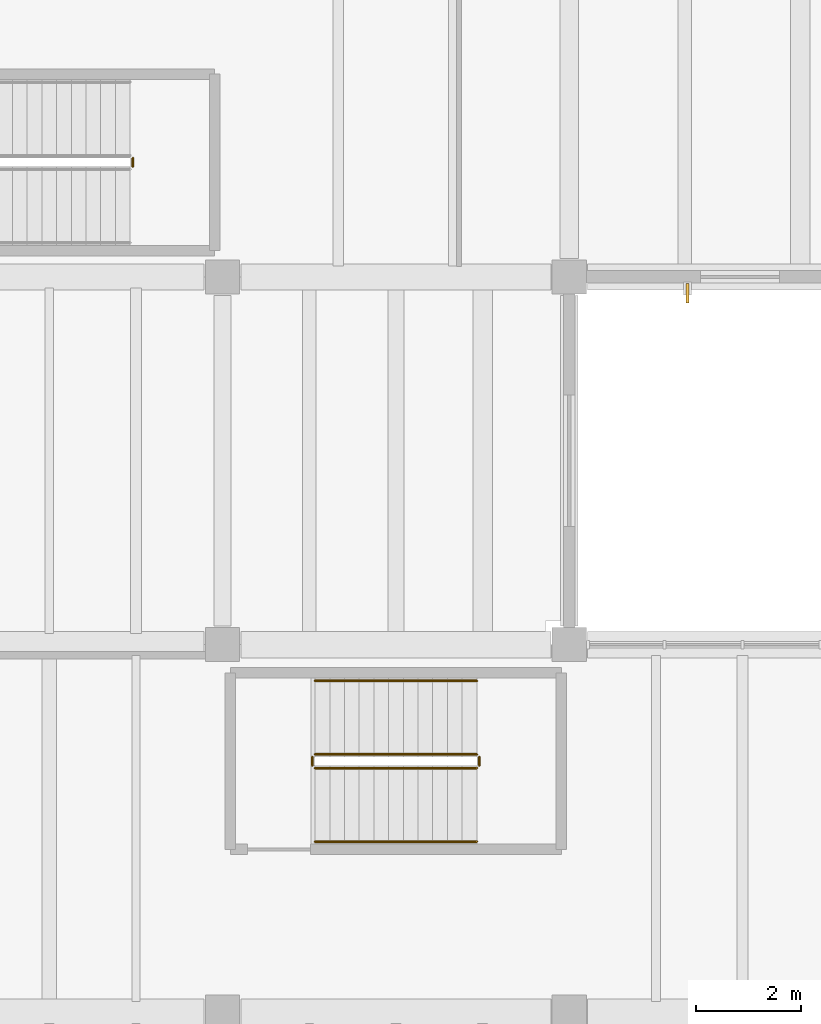
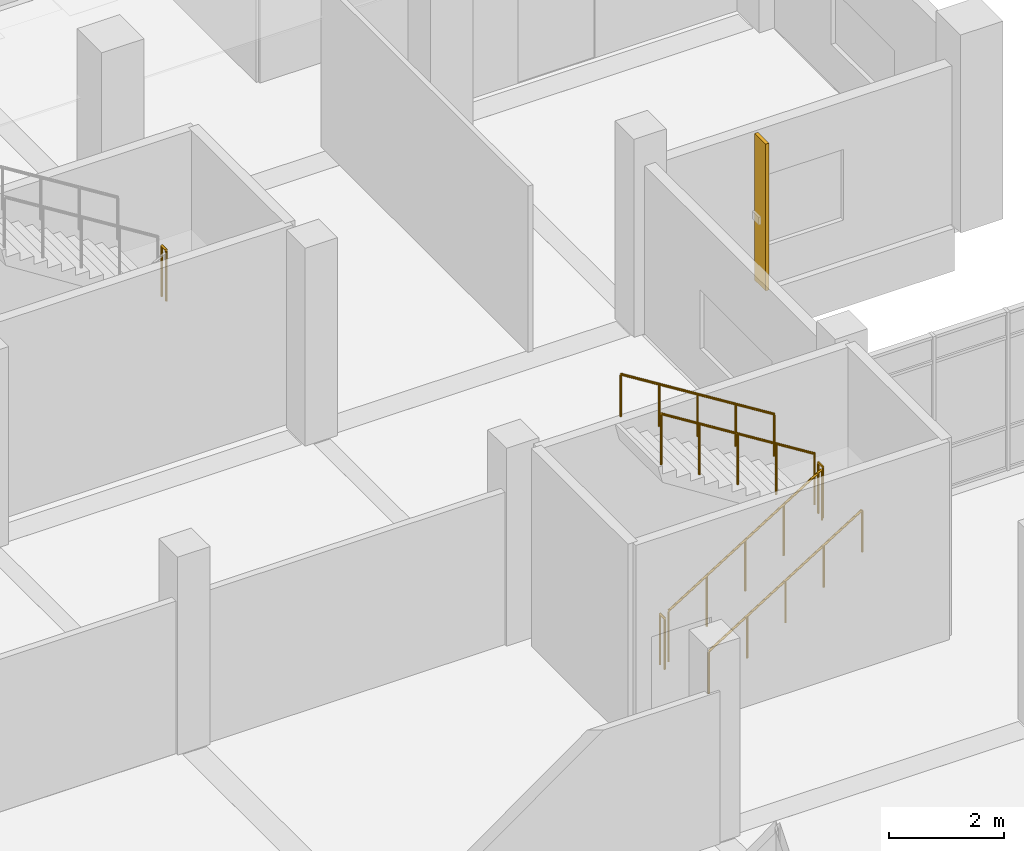
# One storey, part 66 of 69: 7 railings, 1 shading device.
"""IFC4 building model written with IfcOpenShell, lengths in metres."""

from ifc_helpers import new_model, si_unit, direction, frame, origin, origin_2d, place, context, subcontext, project, spatial, rectangle, circle, extrude, material, material_profile, profile_set, type_object, element, save


model = new_model("IFC4")

# Units and contexts
model_context = context("Model", 3, precision=1e-05, world=origin(), true_north=direction((0.0, 1.0)))
body_context = subcontext(model_context, "Body", "Model", "MODEL_VIEW")
ifc_project = project(units=[si_unit("LENGTHUNIT", "METRE"), si_unit("AREAUNIT", "SQUARE_METRE"), si_unit("VOLUMEUNIT", "CUBIC_METRE"), si_unit("PLANEANGLEUNIT", "RADIAN"), si_unit("MASSUNIT", "GRAM", prefix="KILO")], contexts=[model_context])

# Site, building, storey
site_placement = place(None, origin())
site = spatial("IfcSite", under=ifc_project, at=site_placement, CompositionType="ELEMENT")
building_placement = place(site_placement, origin())
building = spatial("IfcBuilding", under=site, at=building_placement, Name="Ciguamira Faculty of Natural Sciences", CompositionType="ELEMENT")
storey_placement = place(building_placement, origin())
storey = spatial("IfcBuildingStorey", under=building, at=storey_placement, Name="L00", CompositionType="ELEMENT", Elevation=0.0)

# Railings
ifc_material_1 = material(Name="Stainless steel balustrade", Category="steel")
railing_type_1 = type_object("IfcRailingType", Name="Guardrail_GR01", PredefinedType="GUARDRAIL", material=ifc_material_1)
railing_1_placement = place(storey_placement, frame((101.7900390625, 96.10009765625, 2.10009765625)))
element("IfcRailing", 1, at=railing_1_placement, inside=storey, type_object=railing_type_1, Name="L00 ST-T2 stair guard 2", PredefinedType="GUARDRAIL", context=body_context, shape_type="SweptSolid", body=[
    extrude(circle(Radius=0.02392578125, at=origin_2d()), frame((0.0, 0.0, 1.076171875), z_axis=(0.0, 1.0, 0.0), x_axis=(-1.0, 0.0, 0.0)), (0.0, 0.0, 1.0), 0.159912109375),
    extrude(circle(Radius=0.02099609375, at=origin_2d()), origin(), (0.0, 0.0, 1.0), 1.052001953125),
    extrude(circle(Radius=0.02099609375, at=origin_2d()), frame((0.0, 0.159912109375, 0.0)), (0.0, 0.0, 1.0), 1.052001953125),
])
railing_2_placement = place(storey_placement, frame((105.260009765625, 84.64990234375, 0.175048828125)))
element("IfcRailing", 2, at=railing_2_placement, inside=storey, type_object=railing_type_1, Name="L00 ST-W2 stair guard 1", PredefinedType="GUARDRAIL", context=body_context, shape_type="SweptSolid", body=[
    extrude(circle(Radius=0.02392578125, at=origin_2d()), frame((0.0, 0.0, 1.076171875), z_axis=(0.847998304005, 0.0, 0.529998940003), x_axis=(0.0, 1.0, 0.0)), (0.0, 0.0, 1.0), 3.632080078125),
    extrude(circle(Radius=0.02099609375, at=origin_2d()), origin(), (0.0, 0.0, 1.0), 1.052001953125),
    extrude(circle(Radius=0.02099609375, at=origin_2d()), frame((0.77001953125, 0.0, 0.481201171875)), (0.0, 0.0, 1.0), 1.052001953125),
    extrude(circle(Radius=0.02099609375, at=origin_2d()), frame((1.5400390625, 0.0, 0.96240234375)), (0.0, 0.0, 1.0), 1.052001953125),
    extrude(circle(Radius=0.02099609375, at=origin_2d()), frame((2.31005859375, 0.0, 1.44384765625)), (0.0, 0.0, 1.0), 1.052001953125),
    extrude(circle(Radius=0.02099609375, at=origin_2d()), frame((3.080078125, 0.0, 1.925048828125)), (0.0, 0.0, 1.0), 1.052001953125),
])
railing_3_placement = place(storey_placement, frame((108.389892578125, 84.699951171875, 2.10009765625)))
element("IfcRailing", 3, at=railing_3_placement, inside=storey, type_object=railing_type_1, Name="L00 ST-W2 stair guard 2", PredefinedType="GUARDRAIL", context=body_context, shape_type="SweptSolid", body=[
    extrude(circle(Radius=0.02392578125, at=origin_2d()), frame((0.0, 0.0, 1.076171875), z_axis=(0.0, 1.0, 0.0), x_axis=(-1.0, 0.0, 0.0)), (0.0, 0.0, 1.0), 0.16015625),
    extrude(circle(Radius=0.02099609375, at=origin_2d()), origin(), (0.0, 0.0, 1.0), 1.052001953125),
    extrude(circle(Radius=0.02099609375, at=origin_2d()), frame((0.0, 0.16015625, 0.0)), (0.0, 0.0, 1.0), 1.052001953125),
])
railing_4_placement = place(storey_placement, frame((108.340087890625, 84.909912109375, 2.27490234375)))
element("IfcRailing", 4, at=railing_4_placement, inside=storey, type_object=railing_type_1, Name="L00 ST-W2 stair guard 3", PredefinedType="GUARDRAIL", context=body_context, shape_type="SweptSolid", body=[
    extrude(circle(Radius=0.02392578125, at=origin_2d()), frame((0.0, 0.0, 1.076171875), z_axis=(-0.847998304005, 0.0, 0.529998940003), x_axis=(0.0, -1.0, 0.0)), (0.0, 0.0, 1.0), 3.632080078125),
    extrude(circle(Radius=0.02099609375, at=origin_2d()), origin(), (0.0, 0.0, 1.0), 1.052001953125),
    extrude(circle(Radius=0.02099609375, at=origin_2d()), frame((-0.77001953125, 0.0, 0.481201171875)), (0.0, 0.0, 1.0), 1.052001953125),
    extrude(circle(Radius=0.02099609375, at=origin_2d()), frame((-1.5400390625, 0.0, 0.96240234375)), (0.0, 0.0, 1.0), 1.052001953125),
    extrude(circle(Radius=0.02099609375, at=origin_2d()), frame((-2.31005859375, 0.0, 1.44384765625)), (0.0, 0.0, 1.0), 1.052001953125),
    extrude(circle(Radius=0.02099609375, at=origin_2d()), frame((-3.080078125, 0.0, 1.925048828125)), (0.0, 0.0, 1.0), 1.052001953125),
])
railing_5_placement = place(storey_placement, frame((105.2099609375, 84.699951171875, 0.0)))
element("IfcRailing", 5, at=railing_5_placement, inside=storey, type_object=railing_type_1, Name="L00 ST-W2 stair guard 4", PredefinedType="GUARDRAIL", context=body_context, shape_type="SweptSolid", body=[
    extrude(circle(Radius=0.02392578125, at=origin_2d()), frame((0.0, 0.0, 1.076171875), z_axis=(0.0, 1.0, 0.0), x_axis=(-1.0, 0.0, 0.0)), (0.0, 0.0, 1.0), 0.16015625),
    extrude(circle(Radius=0.02099609375, at=origin_2d()), origin(), (0.0, 0.0, 1.0), 1.052001953125),
    extrude(circle(Radius=0.02099609375, at=origin_2d()), frame((0.0, 0.16015625, 0.0)), (0.0, 0.0, 1.0), 1.052001953125),
])
ifc_material_2 = material(Name="Stainless steel handrail", Category="steel")
railing_type_2 = type_object("IfcRailingType", Name="Handrail_HR01", PredefinedType="HANDRAIL", material=ifc_material_2)
railing_6_placement = place(storey_placement, frame((105.260009765625, 83.25, 0.35009765625)))
element("IfcRailing", 6, at=railing_6_placement, inside=storey, type_object=railing_type_2, Name="L00 ST-W2 stair handrail 1", PredefinedType="HANDRAIL", context=body_context, shape_type="SweptSolid", body=[
    extrude(circle(Radius=0.02392578125, at=origin_2d()), frame((0.0, 0.0, 0.89111328125), z_axis=(0.848028513186, 0.0, 0.529950602248), x_axis=(0.0, 1.0, 0.0)), (0.0, 0.0, 1.0), 3.632080078125),
    extrude(circle(Radius=0.02099609375, at=origin_2d()), origin(), (0.0, 0.0, 1.0), 0.866943359375),
    extrude(circle(Radius=0.02099609375, at=origin_2d()), frame((0.77001953125, 0.0, 0.481201171875)), (0.0, 0.0, 1.0), 0.866943359375),
    extrude(circle(Radius=0.02099609375, at=origin_2d()), frame((1.5400390625, 0.0, 0.96240234375)), (0.0, 0.0, 1.0), 0.866943359375),
    extrude(circle(Radius=0.02099609375, at=origin_2d()), frame((2.31005859375, 0.0, 1.443603515625)), (0.0, 0.0, 1.0), 0.866943359375),
    extrude(circle(Radius=0.02099609375, at=origin_2d()), frame((3.080078125, 0.0, 1.9248046875)), (0.0, 0.0, 1.0), 0.866943359375),
])
railing_7_placement = place(storey_placement, frame((108.340087890625, 86.31005859375, 2.449951171875)))
element("IfcRailing", 7, at=railing_7_placement, inside=storey, type_object=railing_type_2, Name="L00 ST-W2 stair handrail 2", PredefinedType="HANDRAIL", context=body_context, shape_type="SweptSolid", body=[
    extrude(circle(Radius=0.02392578125, at=origin_2d()), frame((0.0, 0.0, 0.89111328125), z_axis=(-0.847998304005, 0.0, 0.529998940003), x_axis=(0.0, -1.0, 0.0)), (0.0, 0.0, 1.0), 3.632080078125),
    extrude(circle(Radius=0.02099609375, at=origin_2d()), origin(), (0.0, 0.0, 1.0), 0.866943359375),
    extrude(circle(Radius=0.02099609375, at=origin_2d()), frame((-0.77001953125, 0.0, 0.481201171875)), (0.0, 0.0, 1.0), 0.866943359375),
    extrude(circle(Radius=0.02099609375, at=origin_2d()), frame((-1.5400390625, 0.0, 0.96240234375)), (0.0, 0.0, 1.0), 0.866943359375),
    extrude(circle(Radius=0.02099609375, at=origin_2d()), frame((-2.31005859375, 0.0, 1.44384765625)), (0.0, 0.0, 1.0), 0.866943359375),
    extrude(circle(Radius=0.02099609375, at=origin_2d()), frame((-3.080078125, 0.0, 1.925048828125)), (0.0, 0.0, 1.0), 0.866943359375),
])

# Shading device
ifc_material_3 = material(Name="Anodized bronze sunshade fin")
ifc_material_profile = material_profile(ifc_material_3, rectangle(XDim=0.06494140625, YDim=0.3798828125, at=origin_2d()), Name="BRZ-FIN-65X380")
ifc_profile_set = profile_set([ifc_material_profile], Name="Anodized bronze sunshade fin")
shading_device_type = type_object("IfcShadingDeviceType", Name="SunFin_SF01", PredefinedType="USERDEFINED", material=ifc_profile_set)
shading_device_placement = place(storey_placement, frame((112.35009765625, 93.68994140625, 0.199951171875), z_axis=(0.0, 0.0, 1.0), x_axis=(1.0, 0.0, 0.0)))
element("IfcShadingDevice", 8, at=shading_device_placement, inside=storey, type_object=shading_device_type, Name="L00 bronze vertical sunshade fin 0008", ObjectType="SUNSHADE FIN", PredefinedType="USERDEFINED", context=body_context, shape_type="SweptSolid", body=[
    extrude(rectangle(XDim=0.06494140625, YDim=0.3798828125, at=origin_2d()), origin(), (0.0, 0.0, 1.0), 3.114990234375),
])

save(model, "model.ifc")
